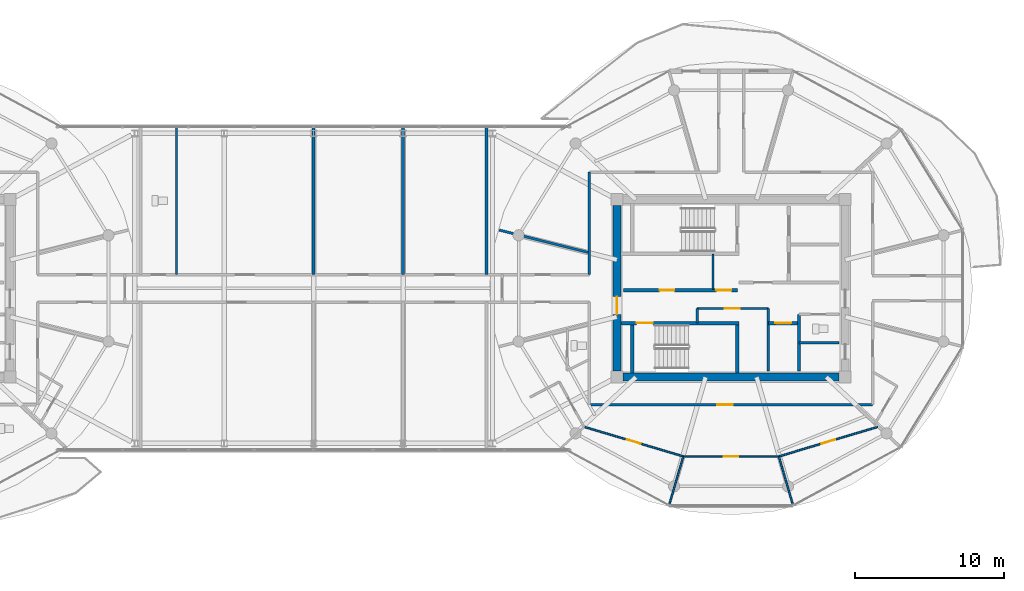
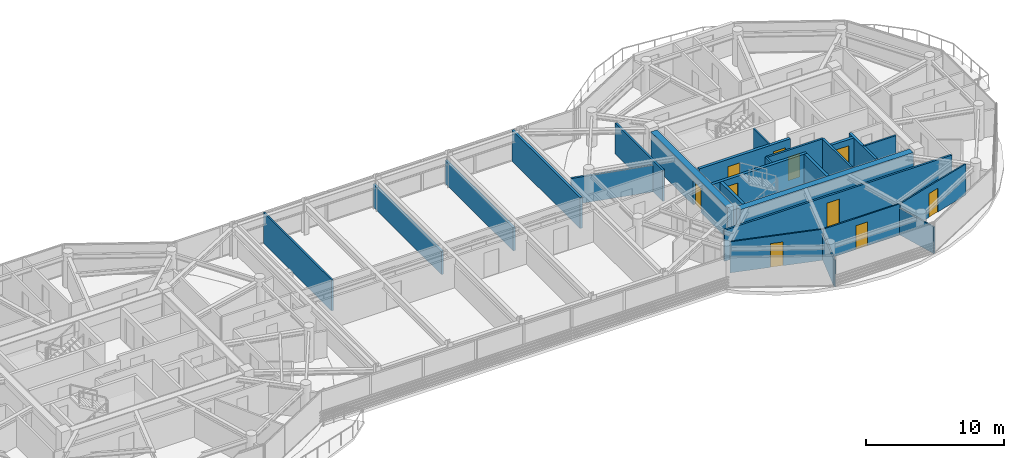
# One storey, part 17 of 24: 25 walls, 10 doors, 10 openings.
"""IFC4 building model written with IfcOpenShell, lengths in metres."""

from ifc_helpers import new_model, si_unit, direction, frame, frame_2d, origin, place, context, subcontext, project, spatial, rectangle, extrude, source, transform, mapped, material, layer, layer_set, type_object, type_shapes, element, fill, save


model = new_model("IFC4")

# Units and contexts
model_context = context("Model", 3, precision=1e-05, world=origin(), true_north=direction((0.0, 1.0)))
body_context = subcontext(model_context, "Body", "Model", "MODEL_VIEW")
ifc_project = project(units=[si_unit("LENGTHUNIT", "METRE"), si_unit("AREAUNIT", "SQUARE_METRE"), si_unit("VOLUMEUNIT", "CUBIC_METRE"), si_unit("PLANEANGLEUNIT", "RADIAN"), si_unit("MASSUNIT", "GRAM", prefix="KILO")], contexts=[model_context])

# Site, building, storey
site_placement = place(None, origin())
site = spatial("IfcSite", under=ifc_project, at=site_placement, CompositionType="ELEMENT")
building_placement = place(site_placement, origin())
building = spatial("IfcBuilding", under=site, at=building_placement, Name="Norrkilde Senior Care Towers", CompositionType="ELEMENT")
storey_placement = place(building_placement, frame((0.0, 0.0, 226.10009765625)))
storey = spatial("IfcBuildingStorey", under=building, at=storey_placement, Name="L70", CompositionType="ELEMENT", Elevation=226.10009765625)

# Wall
ifc_material_1 = material(Name="Concrete C50/60", Category="concrete")
ifc_layer_1 = layer(ifc_material_1, 0.52001953125)
ifc_layer_set_1 = layer_set([ifc_layer_1], Name="Concrete C50/60")
wall_type_1 = type_object("IfcWallType", Name="Core Shear Wall Z4 520", PredefinedType="SHEAR", material=ifc_layer_set_1)
shared_shape_1 = source(origin(), body_context, "Body", "SweptSolid", [
    extrude(rectangle(XDim=14.5, YDim=0.52001953125, at=frame_2d((7.25, 0.0))), origin(), (0.0, 0.0, 1.0), 2.760009765625),
])
wall_1_placement = place(storey_placement, frame((35.25, -5.949951171875, 0.0), z_axis=(0.0, 0.0, 1.0), x_axis=(-1.0, 0.0, 0.0)))
element("IfcWall", 1, at=wall_1_placement, inside=storey, type_object=wall_type_1, Name="L70 Core E South Shear Wall", PredefinedType="SHEAR", context=body_context, shape_type="MappedRepresentation", body=[
    mapped(shared_shape_1, transform((0.0, 0.0, 0.0), x_axis=(1.0, 0.0, 0.0), y_axis=(0.0, 1.0, 0.0), z_axis=(0.0, 0.0, 1.0), scale=1.0)),
])

# Wall, opening, door
shared_shape_2 = source(origin(), body_context, "Body", "SweptSolid", [
    extrude(rectangle(XDim=11.10009765625, YDim=0.52001953125, at=frame_2d((5.550048828125, 0.0))), origin(), (0.0, 0.0, 1.0), 2.760009765625),
])
type_shapes(wall_type_1, [shared_shape_1, shared_shape_2])
wall_2_placement = place(storey_placement, frame((20.35009765625, -5.550048828125, 0.0), z_axis=(0.0, 0.0, 1.0), x_axis=(0.0, 1.0, 0.0)))
wall_2 = element("IfcWall", 2, at=wall_2_placement, inside=storey, type_object=wall_type_1, Name="L70 Core E West Shear Wall", PredefinedType="SHEAR", context=body_context, shape_type="MappedRepresentation", body=[
    mapped(shared_shape_2, transform((0.0, 0.0, 0.0), x_axis=(1.0, 0.0, 0.0), y_axis=(0.0, 1.0, 0.0), z_axis=(0.0, 0.0, 1.0), scale=1.0)),
])
opening_1_placement = place(wall_2_placement, frame((3.800048828125, 0.0, 0.0)))
opening_1 = element("IfcOpeningElement", 3, at=opening_1_placement, cuts=wall_2, Name="Opening D-04", PredefinedType="OPENING", context=body_context, shape_type="SweptSolid", body=[
    extrude(rectangle(XDim=1.199951171875, YDim=2.14990234375, at=frame_2d((0.60009765625, 1.074951171875))), frame((0.0, 0.27001953125, 0.0), z_axis=(0.0, -1.0, 0.0), x_axis=(1.0, 0.0, 0.0)), (0.0, 0.0, 1.0), 0.5400390625),
])
ifc_material_2 = material(Name="Galvanised Painted Steel", Category="steel")
door_type_1 = type_object("IfcDoorType", Name="Firefighting Lobby Fire Door 1200x2150", OperationType="NOTDEFINED", PredefinedType="DOOR", material=ifc_material_2)
shared_shape_3 = source(origin(), body_context, "Body", "SweptSolid", [
    extrude(rectangle(XDim=1.199951171875, YDim=2.14990234375, at=frame_2d((0.60009765625, 1.074951171875))), frame((0.0, 0.02490234375, 0.0), z_axis=(0.0, -1.0, 0.0), x_axis=(1.0, 0.0, 0.0)), (0.0, 0.0, 1.0), 0.050048828125),
])
type_shapes(door_type_1, [shared_shape_3])
door_1_placement = place(opening_1_placement, frame((1.199951171875, 0.0, 0.0), z_axis=(0.0, 0.0, 1.0), x_axis=(-1.0, 0.0, 0.0)))
door_1 = element("IfcDoor", 4, at=door_1_placement, inside=storey, type_object=door_type_1, Name="L70 Core E West Portal Door", OperationType="SINGLE_SWING_LEFT", OverallHeight=2.14990234375, OverallWidth=1.199951171875, PredefinedType="DOOR", context=body_context, shape_type="MappedRepresentation", body=[
    mapped(shared_shape_3, transform((0.0, 0.0, 0.0), x_axis=(1.0, 0.0, 0.0), y_axis=(0.0, 1.0, 0.0), z_axis=(0.0, 0.0, 1.0), scale=1.0)),
])
fill(opening_1, door_1)

ifc_material_3 = material(Name="Concrete C45/55", Category="concrete")
ifc_layer_2 = layer(ifc_material_3, 0.239990234375)
ifc_layer_set_2 = layer_set([ifc_layer_2], Name="Concrete C45/55")
wall_type_2 = type_object("IfcWallType", Name="Shaft and Stair Enclosure Wall 240", PredefinedType="PARTITIONING", material=ifc_layer_set_2)
shared_shape_4 = source(origin(), body_context, "Body", "SweptSolid", [
    extrude(rectangle(XDim=7.929931640625, YDim=0.239990234375, at=frame_2d((3.96484375, 0.0))), origin(), (0.0, 0.0, 1.0), 2.760009765625),
])
wall_3_placement = place(storey_placement, frame((20.610107421875, -2.330078125, 0.0), z_axis=(0.0, 0.0, 1.0), x_axis=(1.0, 0.0, 0.0)))
wall_3 = element("IfcWall", 5, at=wall_3_placement, inside=storey, type_object=wall_type_2, Name="WL-INT-L70-E-ST2N", PredefinedType="PARTITIONING", context=body_context, shape_type="MappedRepresentation", body=[
    mapped(shared_shape_4, transform((0.0, 0.0, 0.0), x_axis=(1.0, 0.0, 0.0), y_axis=(0.0, 1.0, 0.0), z_axis=(0.0, 0.0, 1.0), scale=1.0)),
])
opening_2_placement = place(wall_3_placement, frame((1.050048828125, 0.0, 0.0)))
opening_2 = element("IfcOpeningElement", 6, at=opening_2_placement, cuts=wall_3, Name="Opening D-03", PredefinedType="OPENING", context=body_context, shape_type="SweptSolid", body=[
    extrude(rectangle(XDim=1.10009765625, YDim=2.14990234375, at=frame_2d((0.550048828125, 1.074951171875))), frame((0.0, 0.1298828125, 0.0), z_axis=(0.0, -1.0, 0.0), x_axis=(1.0, 0.0, 0.0)), (0.0, 0.0, 1.0), 0.260009765625),
])
door_type_2 = type_object("IfcDoorType", Name="Stairwell Protected Fire Door 1100x2150", OperationType="NOTDEFINED", PredefinedType="DOOR", material=ifc_material_2)
shared_shape_5 = source(origin(), body_context, "Body", "SweptSolid", [
    extrude(rectangle(XDim=1.10009765625, YDim=2.14990234375, at=frame_2d((0.550048828125, 1.074951171875))), frame((0.0, 0.02490234375, 0.0), z_axis=(0.0, -1.0, 0.0), x_axis=(1.0, 0.0, 0.0)), (0.0, 0.0, 1.0), 0.050048828125),
])
type_shapes(door_type_2, [shared_shape_5])
door_2_placement = place(opening_2_placement, frame((1.10009765625, 0.0, 0.0), z_axis=(0.0, 0.0, 1.0), x_axis=(-1.0, 0.0, 0.0)))
door_2 = element("IfcDoor", 7, at=door_2_placement, inside=storey, type_object=door_type_2, Name="L70 Stair E2 Fire Door", OperationType="SINGLE_SWING_RIGHT", OverallHeight=2.14990234375, OverallWidth=1.10009765625, PredefinedType="DOOR", context=body_context, shape_type="MappedRepresentation", body=[
    mapped(shared_shape_5, transform((0.0, 0.0, 0.0), x_axis=(1.0, 0.0, 0.0), y_axis=(0.0, 1.0, 0.0), z_axis=(0.0, 0.0, 1.0), scale=1.0)),
])
fill(opening_2, door_2)

# Walls
shared_shape_6 = source(origin(), body_context, "Body", "SweptSolid", [
    extrude(rectangle(XDim=3.239990234375, YDim=0.239990234375, at=frame_2d((1.6201171875, 0.0))), origin(), (0.0, 0.0, 1.0), 2.760009765625),
])
type_shapes(wall_type_2, [shared_shape_4, shared_shape_6])
for number, where, z_axis, x_axis, name in (
    (8, (21.3798828125, -5.68994140625, 0.0), (0.0, 0.0, 1.0), (0.0, 1.0, 0.0), "WL-INT-L70-E-ST2W"),
    (9, (28.419921875, -5.68994140625, 0.0), (0.0, 0.0, 1.0), (0.0, 1.0, 0.0), "WL-INT-L70-E-ST2E"),
):
    element("IfcWall", number, at=place(storey_placement, frame(where, z_axis=z_axis, x_axis=x_axis)), inside=storey, type_object=wall_type_2, Name=name, PredefinedType="PARTITIONING", context=body_context, shape_type="MappedRepresentation", body=[
        mapped(shared_shape_6, transform((0.0, 0.0, 0.0), x_axis=(1.0, 0.0, 0.0), y_axis=(0.0, 1.0, 0.0), z_axis=(0.0, 0.0, 1.0), scale=1.0)),
    ])
ifc_material_4 = material(Name="Gypsum Acoustic Board")
ifc_layer_3 = layer(ifc_material_4, 0.1650390625)
ifc_layer_set_3 = layer_set([ifc_layer_3], Name="Gypsum Acoustic Board")
wall_type_3 = type_object("IfcWallType", Name="Corridor Rated Partition 165", PredefinedType="PARTITIONING", material=ifc_layer_set_3)
shared_shape_7 = source(origin(), body_context, "Body", "SweptSolid", [
    extrude(rectangle(XDim=6.1572265625, YDim=0.1650390625, at=frame_2d((3.07861328125, 0.0))), origin(), (0.0, 0.0, 1.0), 2.344970703125),
])
wall_4_placement = place(storey_placement, frame((18.419921875, 2.407470703125, 0.0), z_axis=(0.0, 0.0, 1.0), x_axis=(-0.969840867184, 0.243738984038, 0.0)))
element("IfcWall", 10, at=wall_4_placement, inside=storey, type_object=wall_type_3, Name="WL-INT-L70-E-DEM-05-0", PredefinedType="PARTITIONING", context=body_context, shape_type="MappedRepresentation", body=[
    mapped(shared_shape_7, transform((0.0, 0.0, 0.0), x_axis=(1.0, 0.0, 0.0), y_axis=(0.0, 1.0, 0.0), z_axis=(0.0, 0.0, 1.0), scale=1.0)),
])
ifc_layer_4 = layer(ifc_material_4, 0.114990234375)
ifc_layer_set_4 = layer_set([ifc_layer_4], Name="Gypsum Acoustic Board")
wall_type_4 = type_object("IfcWallType", Name="Internal Room Partition 115", PredefinedType="PARTITIONING", material=ifc_layer_set_4)
shared_shape_8 = source(origin(), body_context, "Body", "SweptSolid", [
    extrude(rectangle(XDim=3.453857421875, YDim=0.114990234375, at=frame_2d((1.72705078125, 0.0))), origin(), (0.0, 0.0, 1.0), 2.344970703125),
])
wall_5_placement = place(storey_placement, frame((24.7978515625, -11.26904296875, 0.0), z_axis=(0.0, 0.0, 1.0), x_axis=(-0.279348499358, -0.960189781193, 0.0)))
element("IfcWall", 11, at=wall_5_placement, inside=storey, type_object=wall_type_4, Name="WL-INT-L70-E-UBR-06-2", PredefinedType="PARTITIONING", context=body_context, shape_type="MappedRepresentation", body=[
    mapped(shared_shape_8, transform((0.0, 0.0, 0.0), x_axis=(1.0, 0.0, 0.0), y_axis=(0.0, 1.0, 0.0), z_axis=(0.0, 0.0, 1.0), scale=1.0)),
])
shared_shape_9 = source(origin(), body_context, "Body", "SweptSolid", [
    extrude(rectangle(XDim=3.451171875, YDim=0.114990234375, at=frame_2d((1.7255859375, 0.0))), origin(), (0.0, 0.0, 1.0), 2.344970703125),
])
wall_6_placement = place(storey_placement, frame((31.202880859375, -11.271728515625, 0.0), z_axis=(0.0, 0.0, 1.0), x_axis=(0.279361559083, -0.960185981624, 0.0)))
element("IfcWall", 12, at=wall_6_placement, inside=storey, type_object=wall_type_4, Name="WL-INT-L70-E-UBR-06-3", PredefinedType="PARTITIONING", context=body_context, shape_type="MappedRepresentation", body=[
    mapped(shared_shape_9, transform((0.0, 0.0, 0.0), x_axis=(1.0, 0.0, 0.0), y_axis=(0.0, 1.0, 0.0), z_axis=(0.0, 0.0, 1.0), scale=1.0)),
])

# Wall, openings, doors
ifc_layer_5 = layer(ifc_material_3, 0.239990234375)
ifc_layer_set_5 = layer_set([ifc_layer_5], Name="Concrete C45/55")
wall_type_5 = type_object("IfcWallType", Name="Lift and Plant Rated Enclosure Partition 240", PredefinedType="PARTITIONING", material=ifc_layer_set_5)
shared_shape_10 = source(origin(), body_context, "Body", "SweptSolid", [
    extrude(rectangle(XDim=7.619873046875, YDim=0.239990234375, at=frame_2d((3.81005859375, 0.0))), origin(), (0.0, 0.0, 1.0), 2.744873046875),
])
wall_7_placement = place(storey_placement, frame((20.800048828125, -0.1298828125, 0.0), z_axis=(0.0, 0.0, 1.0), x_axis=(1.0, 0.0, 0.0)))
wall_7 = element("IfcWall", 13, at=wall_7_placement, inside=storey, type_object=wall_type_5, Name="WL-INT-L70-E-PKAS", PredefinedType="PARTITIONING", context=body_context, shape_type="MappedRepresentation", body=[
    mapped(shared_shape_10, transform((0.0, 0.0, 0.0), x_axis=(1.0, 0.0, 0.0), y_axis=(0.0, 1.0, 0.0), z_axis=(0.0, 0.0, 1.0), scale=1.0)),
])
opening_3_placement = place(wall_7_placement, frame((6.219970703125, 0.0, 0.0)))
opening_3 = element("IfcOpeningElement", 14, at=opening_3_placement, cuts=wall_7, Name="Opening D-10", PredefinedType="OPENING", context=body_context, shape_type="SweptSolid", body=[
    extrude(rectangle(XDim=1.0, YDim=2.10009765625, at=frame_2d((0.5, 1.050048828125))), frame((0.0, 0.1298828125, 0.0), z_axis=(0.0, -1.0, 0.0), x_axis=(1.0, 0.0, 0.0)), (0.0, 0.0, 1.0), 0.260009765625),
])
opening_4_placement = place(wall_7_placement, frame((2.39990234375, 0.0, 0.0)))
opening_4 = element("IfcOpeningElement", 15, at=opening_4_placement, cuts=wall_7, Name="Opening D-10", PredefinedType="OPENING", context=body_context, shape_type="SweptSolid", body=[
    extrude(rectangle(XDim=1.0, YDim=2.10009765625, at=frame_2d((0.5, 1.050048828125))), frame((0.0, 0.1298828125, 0.0), z_axis=(0.0, -1.0, 0.0), x_axis=(1.0, 0.0, 0.0)), (0.0, 0.0, 1.0), 0.260009765625),
])
door_type_3 = type_object("IfcDoorType", Name="Plant and Riser Rated Door 1000x2100", OperationType="NOTDEFINED", PredefinedType="DOOR", material=ifc_material_2)
shared_shape_11 = source(origin(), body_context, "Body", "SweptSolid", [
    extrude(rectangle(XDim=1.0, YDim=2.10009765625, at=frame_2d((0.5, 1.050048828125))), frame((0.0, 0.02490234375, 0.0), z_axis=(0.0, -1.0, 0.0), x_axis=(1.0, 0.0, 0.0)), (0.0, 0.0, 1.0), 0.050048828125),
])
type_shapes(door_type_3, [shared_shape_11])
door_3_placement = place(opening_3_placement, frame((1.0, 0.0, 0.0), z_axis=(0.0, 0.0, 1.0), x_axis=(-1.0, 0.0, 0.0)))
door_3 = element("IfcDoor", 16, at=door_3_placement, inside=storey, type_object=door_type_3, Name="L70 Electrical Riser E Door", OperationType="SINGLE_SWING_LEFT", OverallHeight=2.10009765625, OverallWidth=1.0, PredefinedType="DOOR", context=body_context, shape_type="MappedRepresentation", body=[
    mapped(shared_shape_11, transform((0.0, 0.0, 0.0), x_axis=(1.0, 0.0, 0.0), y_axis=(0.0, 1.0, 0.0), z_axis=(0.0, 0.0, 1.0), scale=1.0)),
])
fill(opening_3, door_3)
door_4_placement = place(opening_4_placement, frame((1.0, 0.0, 0.0), z_axis=(0.0, 0.0, 1.0), x_axis=(-1.0, 0.0, 0.0)))
door_4 = element("IfcDoor", 17, at=door_4_placement, inside=storey, type_object=door_type_3, Name="L70 Clean Supply Store E Door", OperationType="SINGLE_SWING_LEFT", OverallHeight=2.10009765625, OverallWidth=1.0, PredefinedType="DOOR", context=body_context, shape_type="MappedRepresentation", body=[
    mapped(shared_shape_11, transform((0.0, 0.0, 0.0), x_axis=(1.0, 0.0, 0.0), y_axis=(0.0, 1.0, 0.0), z_axis=(0.0, 0.0, 1.0), scale=1.0)),
])
fill(opening_4, door_4)

# Walls
shared_shape_12 = source(origin(), body_context, "Body", "SweptSolid", [
    extrude(rectangle(XDim=2.330078125, YDim=0.114990234375, at=frame_2d((1.1650390625, 0.0))), origin(), (0.0, 0.0, 1.0), 2.744873046875),
])
wall_8_placement = place(storey_placement, frame((26.7900390625, -0.050048828125, 0.0), z_axis=(0.0, 0.0, 1.0), x_axis=(0.0, 1.0, 0.0)))
element("IfcWall", 18, at=wall_8_placement, inside=storey, type_object=wall_type_4, Name="WL-INT-L70-E-RISW", PredefinedType="PARTITIONING", context=body_context, shape_type="MappedRepresentation", body=[
    mapped(shared_shape_12, transform((0.0, 0.0, 0.0), x_axis=(1.0, 0.0, 0.0), y_axis=(0.0, 1.0, 0.0), z_axis=(0.0, 0.0, 1.0), scale=1.0)),
])
ifc_layer_6 = layer(ifc_material_3, 0.199951171875)
ifc_layer_set_6 = layer_set([ifc_layer_6], Name="Concrete C45/55")
wall_type_6 = type_object("IfcWallType", Name="Shaft Division and Plant Partition 200", PredefinedType="PARTITIONING", material=ifc_layer_set_6)
shared_shape_13 = source(origin(), body_context, "Body", "SweptSolid", [
    extrude(rectangle(XDim=3.800048828125, YDim=0.199951171875, at=frame_2d((1.89990234375, 0.0))), origin(), (0.0, 0.0, 1.0), 2.744873046875),
])
type_shapes(wall_type_6, [shared_shape_13])
wall_9_placement = place(storey_placement, frame((32.550048828125, -5.550048828125, 0.0), z_axis=(0.0, 0.0, 1.0), x_axis=(0.0, 1.0, 0.0)))
element("IfcWall", 19, at=wall_9_placement, inside=storey, type_object=wall_type_6, Name="WL-INT-L70-E-PKBE", PredefinedType="PARTITIONING", context=body_context, shape_type="MappedRepresentation", body=[
    mapped(shared_shape_13, transform((0.0, 0.0, 0.0), x_axis=(1.0, 0.0, 0.0), y_axis=(0.0, 1.0, 0.0), z_axis=(0.0, 0.0, 1.0), scale=1.0)),
])

# Wall, opening, door
shared_shape_14 = source(origin(), body_context, "Body", "SweptSolid", [
    extrude(rectangle(XDim=2.050048828125, YDim=0.239990234375, at=frame_2d((1.02490234375, 0.0))), origin(), (0.0, 0.0, 1.0), 2.744873046875),
])
type_shapes(wall_type_5, [shared_shape_10, shared_shape_14])
wall_10_placement = place(storey_placement, frame((30.5, -2.330078125, 0.0), z_axis=(0.0, 0.0, 1.0), x_axis=(1.0, 0.0, 0.0)))
wall_10 = element("IfcWall", 20, at=wall_10_placement, inside=storey, type_object=wall_type_5, Name="WL-INT-L70-E-PL4N", PredefinedType="PARTITIONING", context=body_context, shape_type="MappedRepresentation", body=[
    mapped(shared_shape_14, transform((0.0, 0.0, 0.0), x_axis=(1.0, 0.0, 0.0), y_axis=(0.0, 1.0, 0.0), z_axis=(0.0, 0.0, 1.0), scale=1.0)),
])
opening_5_placement = place(wall_10_placement, frame((0.449951171875, 0.0, 0.0)))
opening_5 = element("IfcOpeningElement", 21, at=opening_5_placement, cuts=wall_10, Name="Opening LD-01", PredefinedType="OPENING", context=body_context, shape_type="SweptSolid", body=[
    extrude(rectangle(XDim=1.10009765625, YDim=2.199951171875, at=frame_2d((0.550048828125, 1.10009765625))), frame((0.0, 0.1298828125, 0.0), z_axis=(0.0, -1.0, 0.0), x_axis=(1.0, 0.0, 0.0)), (0.0, 0.0, 1.0), 0.260009765625),
])
ifc_material_5 = material(Name="Stainless Steel", Category="steel")
door_type_4 = type_object("IfcDoorType", Name="Lift Landing Sliding Door 1100x2200", OperationType="NOTDEFINED", PredefinedType="DOOR", material=ifc_material_5)
shared_shape_15 = source(origin(), body_context, "Body", "SweptSolid", [
    extrude(rectangle(XDim=1.10009765625, YDim=2.199951171875, at=frame_2d((0.550048828125, 1.10009765625))), frame((0.0, 0.02490234375, 0.0), z_axis=(0.0, -1.0, 0.0), x_axis=(1.0, 0.0, 0.0)), (0.0, 0.0, 1.0), 0.050048828125),
])
type_shapes(door_type_4, [shared_shape_15])
door_5_placement = place(opening_5_placement, frame((1.10009765625, 0.0, 0.0), z_axis=(0.0, 0.0, 1.0), x_axis=(-1.0, 0.0, 0.0)))
door_5 = element("IfcDoor", 22, at=door_5_placement, inside=storey, type_object=door_type_4, Name="L70 Passenger Lift E4 Landing Door", OperationType="SLIDING_TO_RIGHT", OverallHeight=2.199951171875, OverallWidth=1.10009765625, PredefinedType="DOOR", context=body_context, shape_type="MappedRepresentation", body=[
    mapped(shared_shape_15, transform((0.0, 0.0, 0.0), x_axis=(1.0, 0.0, 0.0), y_axis=(0.0, 1.0, 0.0), z_axis=(0.0, 0.0, 1.0), scale=1.0)),
])
fill(opening_5, door_5)

# Wall
ifc_layer_7 = layer(ifc_material_3, 0.179931640625)
ifc_layer_set_7 = layer_set([ifc_layer_7], Name="Concrete C45/55")
wall_type_7 = type_object("IfcWallType", Name="Hoistway Division Rated Partition 180", PredefinedType="PARTITIONING", material=ifc_layer_set_7)
shared_shape_16 = source(origin(), body_context, "Body", "SweptSolid", [
    extrude(rectangle(XDim=4.199951171875, YDim=0.179931640625, at=frame_2d((2.10009765625, 0.0))), origin(), (0.0, 0.0, 1.0), 2.744873046875),
])
type_shapes(wall_type_7, [shared_shape_16])
wall_11_placement = place(storey_placement, frame((30.5, -5.550048828125, 0.0), z_axis=(0.0, 0.0, 1.0), x_axis=(0.0, 1.0, 0.0)))
element("IfcWall", 23, at=wall_11_placement, inside=storey, type_object=wall_type_7, Name="WL-INT-L70-E-PL4W", PredefinedType="PARTITIONING", context=body_context, shape_type="MappedRepresentation", body=[
    mapped(shared_shape_16, transform((0.0, 0.0, 0.0), x_axis=(1.0, 0.0, 0.0), y_axis=(0.0, 1.0, 0.0), z_axis=(0.0, 0.0, 1.0), scale=1.0)),
])

# Wall, opening, door
shared_shape_17 = source(origin(), body_context, "Body", "SweptSolid", [
    extrude(rectangle(XDim=4.77001953125, YDim=0.1650390625, at=frame_2d((2.385009765625, 0.0))), origin(), (0.0, 0.0, 1.0), 2.744873046875),
])
wall_12_placement = place(storey_placement, frame((25.72998046875, -1.35009765625, 0.0), z_axis=(0.0, 0.0, 1.0), x_axis=(1.0, 0.0, 0.0)))
wall_12 = element("IfcWall", 24, at=wall_12_placement, inside=storey, type_object=wall_type_3, Name="WL-INT-L70-E-FR2N", PredefinedType="PARTITIONING", context=body_context, shape_type="MappedRepresentation", body=[
    mapped(shared_shape_17, transform((0.0, 0.0, 0.0), x_axis=(1.0, 0.0, 0.0), y_axis=(0.0, 1.0, 0.0), z_axis=(0.0, 0.0, 1.0), scale=1.0)),
])
opening_6_placement = place(wall_12_placement, frame((1.85009765625, 0.0, 0.0)))
opening_6 = element("IfcOpeningElement", 25, at=opening_6_placement, cuts=wall_12, Name="Opening D-10", PredefinedType="OPENING", context=body_context, shape_type="SweptSolid", body=[
    extrude(rectangle(XDim=1.0, YDim=2.10009765625, at=frame_2d((0.5, 1.050048828125))), frame((0.0, 0.092529296875, 0.0), z_axis=(0.0, -1.0, 0.0), x_axis=(1.0, 0.0, 0.0)), (0.0, 0.0, 1.0), 0.18505859375),
])
door_6_placement = place(opening_6_placement, origin())
door_6 = element("IfcDoor", 26, at=door_6_placement, inside=storey, type_object=door_type_3, Name="L70 Core Pantry E Door", OperationType="SINGLE_SWING_RIGHT", OverallHeight=2.10009765625, OverallWidth=1.0, PredefinedType="DOOR", context=body_context, shape_type="MappedRepresentation", body=[
    mapped(shared_shape_11, transform((0.0, 0.0, 0.0), x_axis=(1.0, 0.0, 0.0), y_axis=(0.0, 1.0, 0.0), z_axis=(0.0, 0.0, 1.0), scale=1.0)),
])
fill(opening_6, door_6)

# Walls
shared_shape_18 = source(origin(), body_context, "Body", "SweptSolid", [
    extrude(rectangle(XDim=0.97998046875, YDim=0.1650390625, at=frame_2d((0.489990234375, 0.0))), origin(), (0.0, 0.0, 1.0), 2.744873046875),
])
wall_13_placement = place(storey_placement, frame((25.72998046875, -2.330078125, 0.0), z_axis=(0.0, 0.0, 1.0), x_axis=(0.0, 1.0, 0.0)))
element("IfcWall", 27, at=wall_13_placement, inside=storey, type_object=wall_type_3, Name="WL-INT-L70-E-FR2W", PredefinedType="PARTITIONING", context=body_context, shape_type="MappedRepresentation", body=[
    mapped(shared_shape_18, transform((0.0, 0.0, 0.0), x_axis=(1.0, 0.0, 0.0), y_axis=(0.0, 1.0, 0.0), z_axis=(0.0, 0.0, 1.0), scale=1.0)),
])
ifc_layer_8 = layer(ifc_material_4, 0.139892578125)
ifc_layer_set_8 = layer_set([ifc_layer_8], Name="Gypsum Acoustic Board")
wall_type_8 = type_object("IfcWallType", Name="En-suite Wet Room Wall 140", PredefinedType="PARTITIONING", material=ifc_layer_set_8)
shared_shape_19 = source(origin(), body_context, "Body", "SweptSolid", [
    extrude(rectangle(XDim=2.699951171875, YDim=0.139892578125, at=frame_2d((1.35009765625, 0.0))), origin(), (0.0, 0.0, 1.0), 2.744873046875),
])
wall_14_placement = place(storey_placement, frame((32.550048828125, -3.64990234375, 0.0), z_axis=(0.0, 0.0, 1.0), x_axis=(1.0, 0.0, 0.0)))
element("IfcWall", 28, at=wall_14_placement, inside=storey, type_object=wall_type_8, Name="WL-INT-L70-E-CS2H", PredefinedType="PARTITIONING", context=body_context, shape_type="MappedRepresentation", body=[
    mapped(shared_shape_19, transform((0.0, 0.0, 0.0), x_axis=(1.0, 0.0, 0.0), y_axis=(0.0, 1.0, 0.0), z_axis=(0.0, 0.0, 1.0), scale=1.0)),
])

# Wall, opening, door
shared_shape_20 = source(origin(), body_context, "Body", "SweptSolid", [
    extrude(rectangle(XDim=19.0, YDim=0.1650390625, at=frame_2d((9.5, 0.0))), origin(), (0.0, 0.0, 1.0), 2.744873046875),
])
wall_15_placement = place(storey_placement, frame((37.5, -7.800048828125, 0.0), z_axis=(0.0, 0.0, 1.0), x_axis=(-1.0, 0.0, 0.0)))
wall_15 = element("IfcWall", 29, at=wall_15_placement, inside=storey, type_object=wall_type_3, Name="WL-INT-L70-E-CRW-S-0", PredefinedType="PARTITIONING", context=body_context, shape_type="MappedRepresentation", body=[
    mapped(shared_shape_20, transform((0.0, 0.0, 0.0), x_axis=(1.0, 0.0, 0.0), y_axis=(0.0, 1.0, 0.0), z_axis=(0.0, 0.0, 1.0), scale=1.0)),
])
opening_7_placement = place(wall_15_placement, frame((9.39208984375, 0.0, 0.0)))
opening_7 = element("IfcOpeningElement", 30, at=opening_7_placement, cuts=wall_15, Name="Opening D-06", PredefinedType="OPENING", context=body_context, shape_type="SweptSolid", body=[
    extrude(rectangle(XDim=1.050048828125, YDim=2.14990234375, at=frame_2d((0.52490234375, 1.074951171875))), frame((0.0, 0.092529296875, 0.0), z_axis=(0.0, -1.0, 0.0), x_axis=(1.0, 0.0, 0.0)), (0.0, 0.0, 1.0), 0.18505859375),
])
ifc_material_6 = material(Name="Nordic Ash Timber", Category="wood")
door_type_5 = type_object("IfcDoorType", Name="Apartment Entrance Fire Door 1050x2150", OperationType="NOTDEFINED", PredefinedType="DOOR", material=ifc_material_6)
shared_shape_21 = source(origin(), body_context, "Body", "SweptSolid", [
    extrude(rectangle(XDim=1.050048828125, YDim=2.14990234375, at=frame_2d((0.52490234375, 1.074951171875))), frame((0.0, 0.02490234375, 0.0), z_axis=(0.0, -1.0, 0.0), x_axis=(1.0, 0.0, 0.0)), (0.0, 0.0, 1.0), 0.050048828125),
])
type_shapes(door_type_5, [shared_shape_21])
door_7_placement = place(opening_7_placement, frame((1.050048828125, 0.0, 0.0), z_axis=(0.0, 0.0, 1.0), x_axis=(-1.0, 0.0, 0.0)))
door_7 = element("IfcDoor", 31, at=door_7_placement, inside=storey, type_object=door_type_5, Name="Apartment 70D Entrance Door", OperationType="SINGLE_SWING_LEFT", OverallHeight=2.14990234375, OverallWidth=1.050048828125, PredefinedType="DOOR", context=body_context, shape_type="MappedRepresentation", body=[
    mapped(shared_shape_21, transform((0.0, 0.0, 0.0), x_axis=(1.0, 0.0, 0.0), y_axis=(0.0, 1.0, 0.0), z_axis=(0.0, 0.0, 1.0), scale=1.0)),
])
fill(opening_7, door_7)

# Walls
shared_shape_22 = source(origin(), body_context, "Body", "SweptSolid", [
    extrude(rectangle(XDim=6.880126953125, YDim=0.1650390625, at=frame_2d((3.43994140625, 0.0))), origin(), (0.0, 0.0, 1.0), 2.744873046875),
])
type_shapes(wall_type_3, [shared_shape_7, shared_shape_17, shared_shape_18, shared_shape_20, shared_shape_22])
wall_16_placement = place(storey_placement, frame((18.5, 0.919921875, 0.0), z_axis=(0.0, 0.0, 1.0), x_axis=(0.0, 1.0, 0.0)))
element("IfcWall", 32, at=wall_16_placement, inside=storey, type_object=wall_type_3, Name="WL-INT-L70-E-CRW-W-1", PredefinedType="PARTITIONING", context=body_context, shape_type="MappedRepresentation", body=[
    mapped(shared_shape_22, transform((0.0, 0.0, 0.0), x_axis=(1.0, 0.0, 0.0), y_axis=(0.0, 1.0, 0.0), z_axis=(0.0, 0.0, 1.0), scale=1.0)),
])
ifc_layer_9 = layer(ifc_material_4, 0.18994140625)
ifc_layer_set_9 = layer_set([ifc_layer_9], Name="Gypsum Acoustic Board")
wall_type_9 = type_object("IfcWallType", Name="Unit Demising Acoustic Wall 190", PredefinedType="PARTITIONING", material=ifc_layer_set_9)
shared_shape_23 = source(origin(), body_context, "Body", "SweptSolid", [
    extrude(rectangle(XDim=9.880126953125, YDim=0.18994140625, at=frame_2d((4.93994140625, 0.0))), origin(), (0.0, 0.0, 1.0), 2.744873046875),
])
wall_17_placement = place(storey_placement, frame((11.60009765625, 0.919921875, 0.0), z_axis=(0.0, 0.0, 1.0), x_axis=(0.0, 1.0, 0.0)))
element("IfcWall", 33, at=wall_17_placement, inside=storey, type_object=wall_type_9, Name="WL-INT-L70-BR-EN+12", PredefinedType="PARTITIONING", context=body_context, shape_type="MappedRepresentation", body=[
    mapped(shared_shape_23, transform((0.0, 0.0, 0.0), x_axis=(1.0, 0.0, 0.0), y_axis=(0.0, 1.0, 0.0), z_axis=(0.0, 0.0, 1.0), scale=1.0)),
])
shared_shape_24 = source(origin(), body_context, "Body", "SweptSolid", [
    extrude(rectangle(XDim=9.880126953125, YDim=0.18994140625, at=frame_2d((4.93994140625, 0.0))), origin(), (0.0, 0.0, 1.0), 2.044921875),
])
type_shapes(wall_type_9, [shared_shape_23, shared_shape_24])
for number, where, z_axis, x_axis, name in (
    (34, (0.0, 0.919921875, 0.0), (0.0, 0.0, 1.0), (0.0, 1.0, 0.0), "WL-INT-L70-BR-VN1"),
    (35, (6.0, 0.919921875, 0.0), (0.0, 0.0, 1.0), (0.0, 1.0, 0.0), "WL-INT-L70-BR-VN2"),
):
    element("IfcWall", number, at=place(storey_placement, frame(where, z_axis=z_axis, x_axis=x_axis)), inside=storey, type_object=wall_type_9, Name=name, PredefinedType="PARTITIONING", context=body_context, shape_type="MappedRepresentation", body=[
        mapped(shared_shape_24, transform((0.0, 0.0, 0.0), x_axis=(1.0, 0.0, 0.0), y_axis=(0.0, 1.0, 0.0), z_axis=(0.0, 0.0, 1.0), scale=1.0)),
    ])
shared_shape_25 = source(origin(), body_context, "Body", "SweptSolid", [
    extrude(rectangle(XDim=9.880126953125, YDim=0.139892578125, at=frame_2d((4.93994140625, 0.0))), origin(), (0.0, 0.0, 1.0), 2.744873046875),
])
type_shapes(wall_type_8, [shared_shape_19, shared_shape_25])
wall_18_placement = place(storey_placement, frame((-9.199951171875, 0.919921875, 0.0), z_axis=(0.0, 0.0, 1.0), x_axis=(0.0, 1.0, 0.0)))
element("IfcWall", 36, at=wall_18_placement, inside=storey, type_object=wall_type_8, Name="WL-INT-L70-BR-NWCV", PredefinedType="PARTITIONING", context=body_context, shape_type="MappedRepresentation", body=[
    mapped(shared_shape_25, transform((0.0, 0.0, 0.0), x_axis=(1.0, 0.0, 0.0), y_axis=(0.0, 1.0, 0.0), z_axis=(0.0, 0.0, 1.0), scale=1.0)),
])

# Wall, opening, door
shared_shape_26 = source(origin(), body_context, "Body", "SweptSolid", [
    extrude(rectangle(XDim=6.935791015625, YDim=0.114990234375, at=frame_2d((3.4677734375, 0.0))), origin(), (0.0, 0.0, 1.0), 2.744873046875),
])
wall_19_placement = place(storey_placement, frame((18.1513671875, -9.287109375, 0.0), z_axis=(0.0, 0.0, 1.0), x_axis=(0.958186895835, -0.286143098205, 0.0)))
wall_19 = element("IfcWall", 37, at=wall_19_placement, inside=storey, type_object=wall_type_4, Name="WL-INT-L70-E-UBC-06-1", PredefinedType="PARTITIONING", context=body_context, shape_type="MappedRepresentation", body=[
    mapped(shared_shape_26, transform((0.0, 0.0, 0.0), x_axis=(1.0, 0.0, 0.0), y_axis=(0.0, 1.0, 0.0), z_axis=(0.0, 0.0, 1.0), scale=1.0)),
])
opening_8_placement = place(wall_19_placement, frame((2.992919921875, 0.0, 0.0)))
opening_8 = element("IfcOpeningElement", 38, at=opening_8_placement, cuts=wall_19, Name="Opening D-07", PredefinedType="OPENING", context=body_context, shape_type="SweptSolid", body=[
    extrude(rectangle(XDim=0.949951171875, YDim=2.10009765625, at=frame_2d((0.47509765625, 1.050048828125))), frame((0.0, 0.0673828125, 0.0), z_axis=(0.0, -1.0, 0.0), x_axis=(1.0, 0.0, 0.0)), (0.0, 0.0, 1.0), 0.135009765625),
])
door_type_6 = type_object("IfcDoorType", Name="Internal Suite Bedroom Door 950x2100", OperationType="NOTDEFINED", PredefinedType="DOOR", material=ifc_material_6)
shared_shape_27 = source(origin(), body_context, "Body", "SweptSolid", [
    extrude(rectangle(XDim=0.949951171875, YDim=2.10009765625, at=frame_2d((0.47509765625, 1.050048828125))), frame((0.0, 0.02490234375, 0.0), z_axis=(0.0, -1.0, 0.0), x_axis=(1.0, 0.0, 0.0)), (0.0, 0.0, 1.0), 0.050048828125),
])
type_shapes(door_type_6, [shared_shape_27])
door_8_placement = place(opening_8_placement, origin())
door_8 = element("IfcDoor", 39, at=door_8_placement, inside=storey, type_object=door_type_6, Name="Apartment 70D Bedroom 1 Door", OperationType="SINGLE_SWING_RIGHT", OverallHeight=2.10009765625, OverallWidth=0.949951171875, PredefinedType="DOOR", context=body_context, shape_type="MappedRepresentation", body=[
    mapped(shared_shape_27, transform((0.0, 0.0, 0.0), x_axis=(1.0, 0.0, 0.0), y_axis=(0.0, 1.0, 0.0), z_axis=(0.0, 0.0, 1.0), scale=1.0)),
])
fill(opening_8, door_8)

wall_20_placement = place(storey_placement, frame((31.202880859375, -11.271728515625, 0.0), z_axis=(0.0, 0.0, 1.0), x_axis=(0.958186895835, 0.286143098205, 0.0)))
wall_20 = element("IfcWall", 40, at=wall_20_placement, inside=storey, type_object=wall_type_4, Name="WL-INT-L70-E-UBC-06-3", PredefinedType="PARTITIONING", context=body_context, shape_type="MappedRepresentation", body=[
    mapped(shared_shape_26, transform((0.0, 0.0, 0.0), x_axis=(1.0, 0.0, 0.0), y_axis=(0.0, 1.0, 0.0), z_axis=(0.0, 0.0, 1.0), scale=1.0)),
])
opening_9_placement = place(wall_20_placement, frame((2.992919921875, 0.0, 0.0)))
opening_9 = element("IfcOpeningElement", 41, at=opening_9_placement, cuts=wall_20, Name="Opening D-07", PredefinedType="OPENING", context=body_context, shape_type="SweptSolid", body=[
    extrude(rectangle(XDim=0.949951171875, YDim=2.10009765625, at=frame_2d((0.47509765625, 1.050048828125))), frame((0.0, 0.0673828125, 0.0), z_axis=(0.0, -1.0, 0.0), x_axis=(1.0, 0.0, 0.0)), (0.0, 0.0, 1.0), 0.135009765625),
])
door_9_placement = place(opening_9_placement, origin())
door_9 = element("IfcDoor", 42, at=door_9_placement, inside=storey, type_object=door_type_6, Name="Apartment 70D Bedroom 3 Door", OperationType="SINGLE_SWING_RIGHT", OverallHeight=2.10009765625, OverallWidth=0.949951171875, PredefinedType="DOOR", context=body_context, shape_type="MappedRepresentation", body=[
    mapped(shared_shape_27, transform((0.0, 0.0, 0.0), x_axis=(1.0, 0.0, 0.0), y_axis=(0.0, 1.0, 0.0), z_axis=(0.0, 0.0, 1.0), scale=1.0)),
])
fill(opening_9, door_9)

shared_shape_28 = source(origin(), body_context, "Body", "SweptSolid", [
    extrude(rectangle(XDim=6.404296875, YDim=0.114990234375, at=frame_2d((3.2021484375, 0.0))), origin(), (0.0, 0.0, 1.0), 2.744873046875),
])
type_shapes(wall_type_4, [shared_shape_8, shared_shape_9, shared_shape_12, shared_shape_26, shared_shape_28])
wall_21_placement = place(storey_placement, frame((24.7978515625, -11.26904296875, 0.0), z_axis=(0.0, 0.0, 1.0), x_axis=(1.0, 0.0, 0.0)))
wall_21 = element("IfcWall", 43, at=wall_21_placement, inside=storey, type_object=wall_type_4, Name="WL-INT-L70-E-UBC-06-2", PredefinedType="PARTITIONING", context=body_context, shape_type="MappedRepresentation", body=[
    mapped(shared_shape_28, transform((0.0, 0.0, 0.0), x_axis=(1.0, 0.0, 0.0), y_axis=(0.0, 1.0, 0.0), z_axis=(0.0, 0.0, 1.0), scale=1.0)),
])
opening_10_placement = place(wall_21_placement, frame((2.72705078125, 0.0, 0.0)))
opening_10 = element("IfcOpeningElement", 44, at=opening_10_placement, cuts=wall_21, Name="Opening D-07", PredefinedType="OPENING", context=body_context, shape_type="SweptSolid", body=[
    extrude(rectangle(XDim=0.949951171875, YDim=2.10009765625, at=frame_2d((0.47509765625, 1.050048828125))), frame((0.0, 0.0673828125, 0.0), z_axis=(0.0, -1.0, 0.0), x_axis=(1.0, 0.0, 0.0)), (0.0, 0.0, 1.0), 0.135009765625),
])
door_10_placement = place(opening_10_placement, frame((0.949951171875, 0.0, 0.0), z_axis=(0.0, 0.0, 1.0), x_axis=(-1.0, 0.0, 0.0)))
door_10 = element("IfcDoor", 45, at=door_10_placement, inside=storey, type_object=door_type_6, Name="Apartment 70D Bedroom 2 Door", OperationType="SINGLE_SWING_LEFT", OverallHeight=2.10009765625, OverallWidth=0.949951171875, PredefinedType="DOOR", context=body_context, shape_type="MappedRepresentation", body=[
    mapped(shared_shape_27, transform((0.0, 0.0, 0.0), x_axis=(1.0, 0.0, 0.0), y_axis=(0.0, 1.0, 0.0), z_axis=(0.0, 0.0, 1.0), scale=1.0)),
])
fill(opening_10, door_10)

save(model, "model.ifc")
